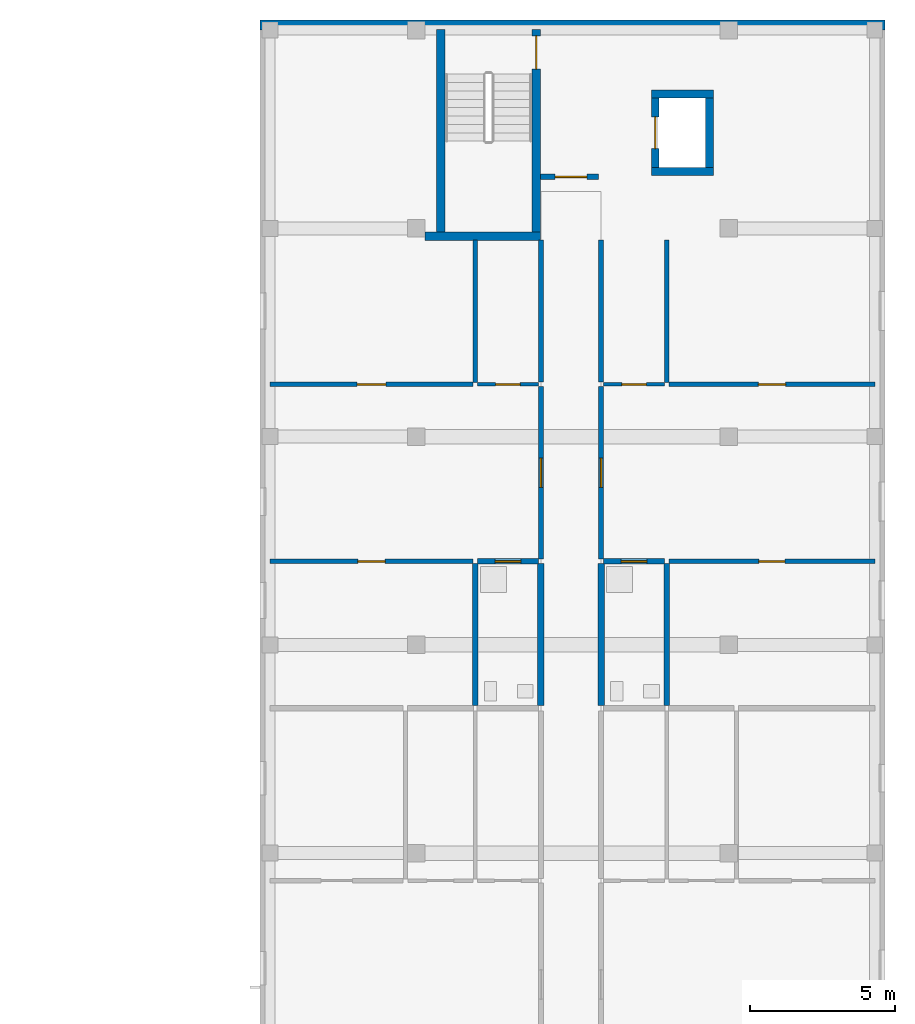
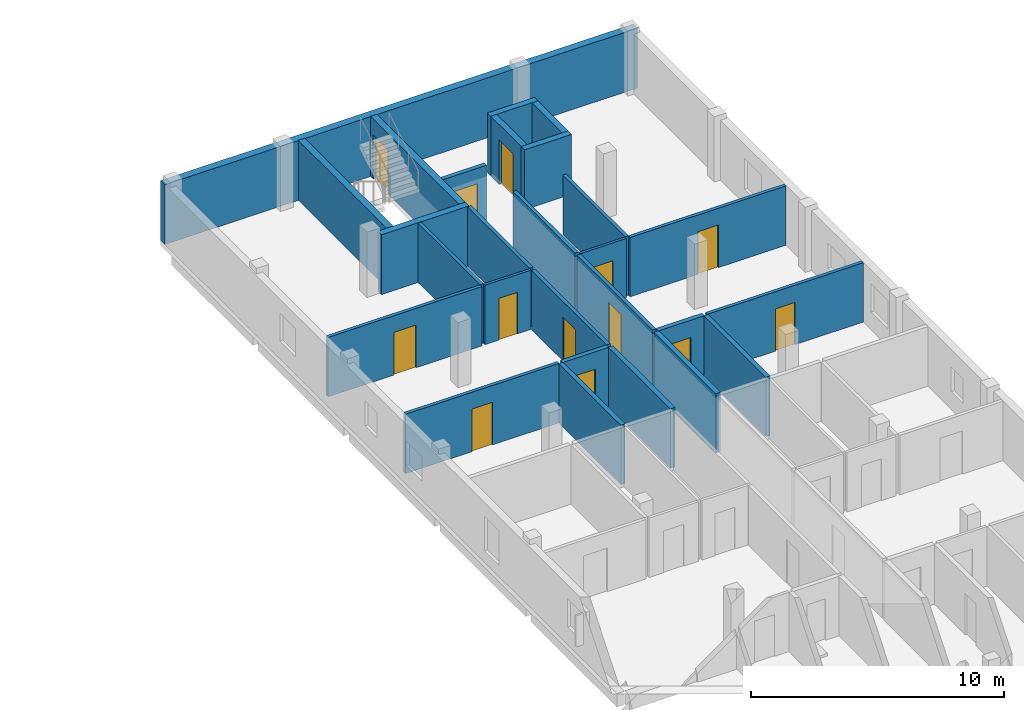
# One storey, part 21 of 34: 27 walls, 13 doors, 13 openings.
"""IFC4 building model written with IfcOpenShell, lengths in metres."""

from ifc_helpers import new_model, si_unit, derived_unit, direction, frame, frame_2d, origin, place, context, subcontext, project, spatial, rectangle, extrude, material, layer, layer_set, type_object, element, fill, save


model = new_model("IFC4")

# Units and contexts
model_context = context("Model", 3, precision=1e-05, world=origin(), true_north=direction((0.0, 1.0)))
body_context = subcontext(model_context, "Body", "Model", "MODEL_VIEW")
ifc_project = project(units=[si_unit("LENGTHUNIT", "METRE"), si_unit("AREAUNIT", "SQUARE_METRE"), si_unit("VOLUMEUNIT", "CUBIC_METRE"), si_unit("PLANEANGLEUNIT", "RADIAN"), si_unit("MASSUNIT", "GRAM", prefix="KILO"), derived_unit("THERMALTRANSMITTANCEUNIT", [(si_unit("MASSUNIT", "GRAM", prefix="KILO"), 1), (si_unit("TIMEUNIT", "SECOND"), -3), (si_unit("THERMODYNAMICTEMPERATUREUNIT", "KELVIN"), -1)])], contexts=[model_context])

# Site, building, storey
site_placement = place(None, origin())
site = spatial("IfcSite", under=ifc_project, at=site_placement, CompositionType="ELEMENT")
building_placement = place(site_placement, origin())
building = spatial("IfcBuilding", under=site, at=building_placement, Name="Ochrekiln Boulevard Commons", CompositionType="ELEMENT")
storey_placement = place(building_placement, frame((0.0, 0.0, 27.824951171875)))
storey = spatial("IfcBuildingStorey", under=building, at=storey_placement, Name="L08", CompositionType="ELEMENT", Elevation=27.824951171875)

# Wall
ifc_material_1 = material(Name="Iron-spot brown clinker brick masonry ASTM C216 Grade SW", Category="masonry")
ifc_layer_1 = layer(ifc_material_1, 0.340087890625)
ifc_layer_set_1 = layer_set([ifc_layer_1], Name="Iron-spot brown clinker brick masonry ASTM C216 Grade SW")
wall_type_1 = type_object("IfcWallType", Name="WL-EXT-IRON-340", PredefinedType="SOLIDWALL", material=ifc_layer_set_1)
wall_1_placement = place(storey_placement, frame((151.199951171875, 118.6298828125, 0.0), z_axis=(0.0, 0.0, 1.0), x_axis=(1.0, 0.0, 0.0)))
element("IfcWall", 1, at=wall_1_placement, inside=storey, type_object=wall_type_1, Name="Block B L08 N Exterior Wall", PredefinedType="SOLIDWALL", context=body_context, shape_type="SweptSolid", body=[
    extrude(rectangle(XDim=21.60009765625, YDim=0.340087890625, at=frame_2d((10.800048828125, 0.0))), origin(), (0.0, 0.0, 1.0), 2.89013671875),
])

# Wall, opening, door
ifc_material_2 = material(Name="Moisture-resistant cementitious tile backer wall")
ifc_layer_2 = layer(ifc_material_2, 0.199951171875)
ifc_layer_set_2 = layer_set([ifc_layer_2], Name="Moisture-resistant cementitious tile backer wall")
wall_type_2 = type_object("IfcWallType", Name="WL-PLM-200", PredefinedType="PLUMBINGWALL", material=ifc_layer_set_2)
wall_2_placement = place(storey_placement, frame((158.719970703125, 100.090087890625, 0.0), z_axis=(0.0, 0.0, 1.0), x_axis=(1.0, 0.0, 0.0)))
wall_2 = element("IfcWall", 2, at=wall_2_placement, inside=storey, type_object=wall_type_2, Name="L08 Interior Wall W-PW200", PredefinedType="PLUMBINGWALL", context=body_context, shape_type="SweptSolid", body=[
    extrude(rectangle(XDim=2.10693359375, YDim=0.199951171875, at=frame_2d((1.053466796875, 0.0))), origin(), (0.0, 0.0, 1.0), 2.8701171875),
])
opening_1_placement = place(wall_2_placement, frame((0.60498046875, 0.0, 0.0)))
opening_1 = element("IfcOpeningElement", 3, at=opening_1_placement, cuts=wall_2, Name="Opening D-L08-1045", PredefinedType="OPENING", context=body_context, shape_type="SweptSolid", body=[
    extrude(rectangle(XDim=0.889892578125, YDim=2.030029296875, at=frame_2d((0.44482421875, 1.01513671875))), frame((0.0, 0.10986328125, 0.0), z_axis=(0.0, -1.0, 0.0), x_axis=(1.0, 0.0, 0.0)), (0.0, 0.0, 1.0), 0.219970703125),
])
ifc_material_3 = material(Name="Solid core architectural oak door leaf")
door_type_1 = type_object("IfcDoorType", Name="DR-INT-BTH-089", OperationType="NOTDEFINED", PredefinedType="DOOR", material=ifc_material_3)
door_1_placement = place(opening_1_placement, frame((0.889892578125, 0.0, 0.0), z_axis=(0.0, 0.0, 1.0), x_axis=(-1.0, 0.0, 0.0)))
door_1 = element("IfcDoor", 4, at=door_1_placement, inside=storey, type_object=door_type_1, Name="L08 Interior Door to Apartment Bathroom", OperationType="SINGLE_SWING_LEFT", OverallHeight=2.030029296875, OverallWidth=0.889892578125, PredefinedType="DOOR", context=body_context, shape_type="SweptSolid", body=[
    extrude(rectangle(XDim=0.889892578125, YDim=2.030029296875, at=frame_2d((0.44482421875, 1.01513671875))), frame((0.0, 0.02490234375, 0.0), z_axis=(0.0, -1.0, 0.0), x_axis=(1.0, 0.0, 0.0)), (0.0, 0.0, 1.0), 0.050048828125),
])
fill(opening_1, door_1)

# Wall
wall_3_placement = place(storey_placement, frame((158.639892578125, 95.097900390625, 0.0), z_axis=(0.0, 0.0, 1.0), x_axis=(0.0, 1.0, 0.0)))
element("IfcWall", 5, at=wall_3_placement, inside=storey, type_object=wall_type_2, Name="L08 Interior Wall W-PW200", PredefinedType="PLUMBINGWALL", context=body_context, shape_type="SweptSolid", body=[
    extrude(rectangle(XDim=4.912109375, YDim=0.199951171875, at=frame_2d((2.4560546875, 0.0))), origin(), (0.0, 0.0, 1.0), 2.8701171875),
])

# Wall, opening, door
wall_4_placement = place(storey_placement, frame((163.072998046875, 100.090087890625, 0.0), z_axis=(0.0, 0.0, 1.0), x_axis=(1.0, 0.0, 0.0)))
wall_4 = element("IfcWall", 6, at=wall_4_placement, inside=storey, type_object=wall_type_2, Name="L08 Interior Wall W-PW200", PredefinedType="PLUMBINGWALL", context=body_context, shape_type="SweptSolid", body=[
    extrude(rectangle(XDim=2.10693359375, YDim=0.199951171875, at=frame_2d((1.053466796875, 0.0))), origin(), (0.0, 0.0, 1.0), 2.8701171875),
])
opening_2_placement = place(wall_4_placement, frame((0.612060546875, 0.0, 0.0)))
opening_2 = element("IfcOpeningElement", 7, at=opening_2_placement, cuts=wall_4, Name="Opening D-L08-1056", PredefinedType="OPENING", context=body_context, shape_type="SweptSolid", body=[
    extrude(rectangle(XDim=0.889892578125, YDim=2.030029296875, at=frame_2d((0.44482421875, 1.01513671875))), frame((0.0, 0.10986328125, 0.0), z_axis=(0.0, -1.0, 0.0), x_axis=(1.0, 0.0, 0.0)), (0.0, 0.0, 1.0), 0.219970703125),
])
door_2_placement = place(opening_2_placement, frame((0.889892578125, 0.0, 0.0), z_axis=(0.0, 0.0, 1.0), x_axis=(-1.0, 0.0, 0.0)))
door_2 = element("IfcDoor", 8, at=door_2_placement, inside=storey, type_object=door_type_1, Name="L08 Interior Door to Apartment Bathroom", OperationType="SINGLE_SWING_RIGHT", OverallHeight=2.030029296875, OverallWidth=0.889892578125, PredefinedType="DOOR", context=body_context, shape_type="SweptSolid", body=[
    extrude(rectangle(XDim=0.889892578125, YDim=2.030029296875, at=frame_2d((0.44482421875, 1.01513671875))), frame((0.0, 0.02490234375, 0.0), z_axis=(0.0, -1.0, 0.0), x_axis=(1.0, 0.0, 0.0)), (0.0, 0.0, 1.0), 0.050048828125),
])
fill(opening_2, door_2)

# Walls
wall_5_placement = place(storey_placement, frame((165.260009765625, 95.097900390625, 0.0), z_axis=(0.0, 0.0, 1.0), x_axis=(0.0, 1.0, 0.0)))
element("IfcWall", 9, at=wall_5_placement, inside=storey, type_object=wall_type_2, Name="L08 Interior Wall W-PW200", PredefinedType="PLUMBINGWALL", context=body_context, shape_type="SweptSolid", body=[
    extrude(rectangle(XDim=4.912109375, YDim=0.199951171875, at=frame_2d((2.4560546875, 0.0))), origin(), (0.0, 0.0, 1.0), 2.8701171875),
])
ifc_layer_3 = layer(ifc_material_2, 0.219970703125)
ifc_layer_set_3 = layer_set([ifc_layer_3], Name="Moisture-resistant cementitious tile backer wall")
wall_type_3 = type_object("IfcWallType", Name="WL-PLM-220", PredefinedType="PLUMBINGWALL", material=ifc_layer_set_3)
for number, where, z_axis, x_axis, name in (
    (10, (160.909912109375, 95.097900390625, 0.0), (0.0, 0.0, 1.0), (0.0, 1.0, 0.0), "L08 Interior Wall W-PW220"),
    (11, (162.989990234375, 95.097900390625, 0.0), (0.0, 0.0, 1.0), (0.0, 1.0, 0.0), "L08 Interior Wall W-PW220"),
):
    element("IfcWall", number, at=place(storey_placement, frame(where, z_axis=z_axis, x_axis=x_axis)), inside=storey, type_object=wall_type_3, Name=name, PredefinedType="PLUMBINGWALL", context=body_context, shape_type="SweptSolid", body=[
        extrude(rectangle(XDim=4.912109375, YDim=0.219970703125, at=frame_2d((2.4560546875, 0.0))), origin(), (0.0, 0.0, 1.0), 2.8701171875),
    ])

# Wall, opening, door
ifc_material_4 = material(Name="Fire-rated Type X gypsum board on steel studs", Category="steel")
ifc_layer_4 = layer(ifc_material_4, 0.1650390625)
ifc_layer_set_4 = layer_set([ifc_layer_4], Name="Fire-rated Type X gypsum board on steel studs")
wall_type_4 = type_object("IfcWallType", Name="WL-PT-CORR-165", PredefinedType="PARTITIONING", material=ifc_layer_set_4)
wall_6_placement = place(storey_placement, frame((160.909912109375, 100.169921875, 0.0), z_axis=(0.0, 0.0, 1.0), x_axis=(0.0, 1.0, 0.0)))
wall_6 = element("IfcWall", 12, at=wall_6_placement, inside=storey, type_object=wall_type_4, Name="L08 Interior Wall W-PC165", PredefinedType="PARTITIONING", context=body_context, shape_type="SweptSolid", body=[
    extrude(rectangle(XDim=5.9580078125, YDim=0.1650390625, at=frame_2d((2.97900390625, 0.0))), origin(), (0.0, 0.0, 1.0), 2.8701171875),
])
opening_3_placement = place(wall_6_placement, frame((2.47412109375, 0.0, 0.0)))
opening_3 = element("IfcOpeningElement", 13, at=opening_3_placement, cuts=wall_6, Name="Opening D-L08-1035", PredefinedType="OPENING", context=body_context, shape_type="SweptSolid", body=[
    extrude(rectangle(XDim=1.010009765625, YDim=2.110107421875, at=frame_2d((0.5048828125, 1.05517578125))), frame((0.0, 0.092529296875, 0.0), z_axis=(0.0, -1.0, 0.0), x_axis=(1.0, 0.0, 0.0)), (0.0, 0.0, 1.0), 0.18505859375),
])
door_type_2 = type_object("IfcDoorType", Name="DR-INT-APT-101", OperationType="NOTDEFINED", PredefinedType="DOOR", material=ifc_material_3)
door_3_placement = place(opening_3_placement, origin())
door_3 = element("IfcDoor", 14, at=door_3_placement, inside=storey, type_object=door_type_2, Name="L08 Interior Door to Two-Bedroom Apartment Living Room", OperationType="SINGLE_SWING_LEFT", OverallHeight=2.110107421875, OverallWidth=1.010009765625, PredefinedType="DOOR", context=body_context, shape_type="SweptSolid", body=[
    extrude(rectangle(XDim=1.010009765625, YDim=2.110107421875, at=frame_2d((0.5048828125, 1.05517578125))), frame((0.0, 0.02490234375, 0.0), z_axis=(0.0, -1.0, 0.0), x_axis=(1.0, 0.0, 0.0)), (0.0, 0.0, 1.0), 0.050048828125),
])
fill(opening_3, door_3)

# Wall
wall_7_placement = place(storey_placement, frame((160.909912109375, 106.2880859375, 0.0), z_axis=(0.0, 0.0, 1.0), x_axis=(0.0, 1.0, 0.0)))
element("IfcWall", 15, at=wall_7_placement, inside=storey, type_object=wall_type_4, Name="L08 Interior Wall W-PC165", PredefinedType="PARTITIONING", context=body_context, shape_type="SweptSolid", body=[
    extrude(rectangle(XDim=4.911865234375, YDim=0.1650390625, at=frame_2d((2.4560546875, 0.0))), origin(), (0.0, 0.0, 1.0), 2.8701171875),
])

# Wall, opening, door
wall_8_placement = place(storey_placement, frame((162.989990234375, 100.169921875, 0.0), z_axis=(0.0, 0.0, 1.0), x_axis=(0.0, 1.0, 0.0)))
wall_8 = element("IfcWall", 16, at=wall_8_placement, inside=storey, type_object=wall_type_4, Name="L08 Interior Wall W-PC165", PredefinedType="PARTITIONING", context=body_context, shape_type="SweptSolid", body=[
    extrude(rectangle(XDim=5.9580078125, YDim=0.1650390625, at=frame_2d((2.97900390625, 0.0))), origin(), (0.0, 0.0, 1.0), 2.8701171875),
])
opening_4_placement = place(wall_8_placement, frame((2.47412109375, 0.0, 0.0)))
opening_4 = element("IfcOpeningElement", 17, at=opening_4_placement, cuts=wall_8, Name="Opening D-L08-1037", PredefinedType="OPENING", context=body_context, shape_type="SweptSolid", body=[
    extrude(rectangle(XDim=1.010009765625, YDim=2.110107421875, at=frame_2d((0.5048828125, 1.05517578125))), frame((0.0, 0.092529296875, 0.0), z_axis=(0.0, -1.0, 0.0), x_axis=(1.0, 0.0, 0.0)), (0.0, 0.0, 1.0), 0.18505859375),
])
door_4_placement = place(opening_4_placement, frame((1.010009765625, 0.0, 0.0), z_axis=(0.0, 0.0, 1.0), x_axis=(-1.0, 0.0, 0.0)))
door_4 = element("IfcDoor", 18, at=door_4_placement, inside=storey, type_object=door_type_2, Name="L08 Interior Door to Two-Bedroom Apartment Living Room", OperationType="SINGLE_SWING_LEFT", OverallHeight=2.110107421875, OverallWidth=1.010009765625, PredefinedType="DOOR", context=body_context, shape_type="SweptSolid", body=[
    extrude(rectangle(XDim=1.010009765625, YDim=2.110107421875, at=frame_2d((0.5048828125, 1.05517578125))), frame((0.0, 0.02490234375, 0.0), z_axis=(0.0, -1.0, 0.0), x_axis=(1.0, 0.0, 0.0)), (0.0, 0.0, 1.0), 0.050048828125),
])
fill(opening_4, door_4)

# Wall
wall_9_placement = place(storey_placement, frame((162.989990234375, 106.2880859375, 0.0), z_axis=(0.0, 0.0, 1.0), x_axis=(0.0, 1.0, 0.0)))
element("IfcWall", 19, at=wall_9_placement, inside=storey, type_object=wall_type_4, Name="L08 Interior Wall W-PC165", PredefinedType="PARTITIONING", context=body_context, shape_type="SweptSolid", body=[
    extrude(rectangle(XDim=4.911865234375, YDim=0.1650390625, at=frame_2d((2.4560546875, 0.0))), origin(), (0.0, 0.0, 1.0), 2.8701171875),
])

# Wall, opening, door
ifc_layer_5 = layer(ifc_material_4, 0.18994140625)
ifc_layer_set_5 = layer_set([ifc_layer_5], Name="Fire-rated Type X gypsum board on steel studs")
wall_type_5 = type_object("IfcWallType", Name="WL-PT-LBY-190", PredefinedType="PARTITIONING", material=ifc_layer_set_5)
wall_10_placement = place(storey_placement, frame((160.89990234375, 113.3798828125, 0.0), z_axis=(0.0, 0.0, 1.0), x_axis=(1.0, 0.0, 0.0)))
wall_10 = element("IfcWall", 20, at=wall_10_placement, inside=storey, type_object=wall_type_5, Name="L08 Interior Wall W-PL190", PredefinedType="PARTITIONING", context=body_context, shape_type="SweptSolid", body=[
    extrude(rectangle(XDim=2.0, YDim=0.18994140625, at=frame_2d((1.0, 0.0))), origin(), (0.0, 0.0, 1.0), 2.8701171875),
])
opening_5_placement = place(wall_10_placement, frame((0.5, 0.0, 0.0)))
opening_5 = element("IfcOpeningElement", 21, at=opening_5_placement, cuts=wall_10, Name="Opening D-L08-1032", PredefinedType="OPENING", context=body_context, shape_type="SweptSolid", body=[
    extrude(rectangle(XDim=1.10009765625, YDim=2.1201171875, at=frame_2d((0.550048828125, 1.06005859375))), frame((0.0, 0.10498046875, 0.0), z_axis=(0.0, -1.0, 0.0), x_axis=(1.0, 0.0, 0.0)), (0.0, 0.0, 1.0), 0.2099609375),
])
ifc_material_5 = material(Name="Hollow metal fire-rated steel door assembly", Category="steel")
door_type_3 = type_object("IfcDoorType", Name="DR-LOBBY-60", OperationType="NOTDEFINED", PredefinedType="DOOR", material=ifc_material_5)
door_5_placement = place(opening_5_placement, origin())
door_5 = element("IfcDoor", 22, at=door_5_placement, inside=storey, type_object=door_type_3, Name="L08 Interior Door to Fire Service Access Elevator Lobby", OperationType="SINGLE_SWING_RIGHT", OverallHeight=2.1201171875, OverallWidth=1.10009765625, PredefinedType="DOOR", context=body_context, shape_type="SweptSolid", body=[
    extrude(rectangle(XDim=1.10009765625, YDim=2.1201171875, at=frame_2d((0.550048828125, 1.06005859375))), frame((0.0, 0.02490234375, 0.0), z_axis=(0.0, -1.0, 0.0), x_axis=(1.0, 0.0, 0.0)), (0.0, 0.0, 1.0), 0.050048828125),
])
fill(opening_5, door_5)

ifc_layer_6 = layer(ifc_material_4, 0.1201171875)
ifc_layer_set_6 = layer_set([ifc_layer_6], Name="Fire-rated Type X gypsum board on steel studs")
wall_type_6 = type_object("IfcWallType", Name="WL-PT-LGT-120", PredefinedType="PARTITIONING", material=ifc_layer_set_6)
wall_11_placement = place(storey_placement, frame((158.719970703125, 106.2080078125, 0.0), z_axis=(0.0, 0.0, 1.0), x_axis=(1.0, 0.0, 0.0)))
wall_11 = element("IfcWall", 23, at=wall_11_placement, inside=storey, type_object=wall_type_6, Name="L08 Interior Wall W-PL120", PredefinedType="PARTITIONING", context=body_context, shape_type="SweptSolid", body=[
    extrude(rectangle(XDim=2.10693359375, YDim=0.1201171875, at=frame_2d((1.053466796875, 0.0))), origin(), (0.0, 0.0, 1.0), 2.8701171875),
])
opening_6_placement = place(wall_11_placement, frame((0.625, 0.0, 0.0)))
opening_6 = element("IfcOpeningElement", 24, at=opening_6_placement, cuts=wall_11, Name="Opening D-L08-1046", PredefinedType="OPENING", context=body_context, shape_type="SweptSolid", body=[
    extrude(rectangle(XDim=0.85009765625, YDim=2.010009765625, at=frame_2d((0.425048828125, 1.0048828125))), frame((0.0, 0.070068359375, 0.0), z_axis=(0.0, -1.0, 0.0), x_axis=(1.0, 0.0, 0.0)), (0.0, 0.0, 1.0), 0.14013671875),
])
door_type_4 = type_object("IfcDoorType", Name="DR-INT-KIT-085", OperationType="NOTDEFINED", PredefinedType="DOOR", material=ifc_material_3)
door_6_placement = place(opening_6_placement, origin())
door_6 = element("IfcDoor", 25, at=door_6_placement, inside=storey, type_object=door_type_4, Name="L08 Interior Door to Apartment Kitchen", OperationType="SINGLE_SWING_RIGHT", OverallHeight=2.010009765625, OverallWidth=0.85009765625, PredefinedType="DOOR", context=body_context, shape_type="SweptSolid", body=[
    extrude(rectangle(XDim=0.85009765625, YDim=2.010009765625, at=frame_2d((0.425048828125, 1.0048828125))), frame((0.0, 0.02490234375, 0.0), z_axis=(0.0, -1.0, 0.0), x_axis=(1.0, 0.0, 0.0)), (0.0, 0.0, 1.0), 0.050048828125),
])
fill(opening_6, door_6)

wall_12_placement = place(storey_placement, frame((163.072998046875, 106.2080078125, 0.0), z_axis=(0.0, 0.0, 1.0), x_axis=(1.0, 0.0, 0.0)))
wall_12 = element("IfcWall", 26, at=wall_12_placement, inside=storey, type_object=wall_type_6, Name="L08 Interior Wall W-PL120", PredefinedType="PARTITIONING", context=body_context, shape_type="SweptSolid", body=[
    extrude(rectangle(XDim=2.10693359375, YDim=0.1201171875, at=frame_2d((1.053466796875, 0.0))), origin(), (0.0, 0.0, 1.0), 2.8701171875),
])
opening_7_placement = place(wall_12_placement, frame((0.632080078125, 0.0, 0.0)))
opening_7 = element("IfcOpeningElement", 27, at=opening_7_placement, cuts=wall_12, Name="Opening D-L08-1057", PredefinedType="OPENING", context=body_context, shape_type="SweptSolid", body=[
    extrude(rectangle(XDim=0.85009765625, YDim=2.010009765625, at=frame_2d((0.425048828125, 1.0048828125))), frame((0.0, 0.070068359375, 0.0), z_axis=(0.0, -1.0, 0.0), x_axis=(1.0, 0.0, 0.0)), (0.0, 0.0, 1.0), 0.14013671875),
])
door_7_placement = place(opening_7_placement, origin())
door_7 = element("IfcDoor", 28, at=door_7_placement, inside=storey, type_object=door_type_4, Name="L08 Interior Door to Apartment Kitchen", OperationType="SINGLE_SWING_LEFT", OverallHeight=2.010009765625, OverallWidth=0.85009765625, PredefinedType="DOOR", context=body_context, shape_type="SweptSolid", body=[
    extrude(rectangle(XDim=0.85009765625, YDim=2.010009765625, at=frame_2d((0.425048828125, 1.0048828125))), frame((0.0, 0.02490234375, 0.0), z_axis=(0.0, -1.0, 0.0), x_axis=(1.0, 0.0, 0.0)), (0.0, 0.0, 1.0), 0.050048828125),
])
fill(opening_7, door_7)

ifc_layer_7 = layer(ifc_material_4, 0.14990234375)
ifc_layer_set_7 = layer_set([ifc_layer_7], Name="Fire-rated Type X gypsum board on steel studs")
wall_type_7 = type_object("IfcWallType", Name="WL-PT-STD-150", PredefinedType="PARTITIONING", material=ifc_layer_set_7)
wall_13_placement = place(storey_placement, frame((151.5400390625, 100.090087890625, 0.0), z_axis=(0.0, 0.0, 1.0), x_axis=(1.0, 0.0, 0.0)))
wall_13 = element("IfcWall", 29, at=wall_13_placement, inside=storey, type_object=wall_type_7, Name="L08 Interior Wall W-PS150", PredefinedType="PARTITIONING", context=body_context, shape_type="SweptSolid", body=[
    extrude(rectangle(XDim=7.02001953125, YDim=0.14990234375, at=frame_2d((3.510009765625, 0.0))), origin(), (0.0, 0.0, 1.0), 2.8701171875),
])
opening_8_placement = place(wall_13_placement, frame((3.044921875, 0.0, 0.0)))
opening_8 = element("IfcOpeningElement", 30, at=opening_8_placement, cuts=wall_13, Name="Opening D-L08-1047", PredefinedType="OPENING", context=body_context, shape_type="SweptSolid", body=[
    extrude(rectangle(XDim=0.93994140625, YDim=2.06005859375, at=frame_2d((0.469970703125, 1.030029296875))), frame((0.0, 0.0849609375, 0.0), z_axis=(0.0, -1.0, 0.0), x_axis=(1.0, 0.0, 0.0)), (0.0, 0.0, 1.0), 0.169921875),
])
door_type_5 = type_object("IfcDoorType", Name="DR-INT-BED-094", OperationType="NOTDEFINED", PredefinedType="DOOR", material=ifc_material_3)
door_8_placement = place(opening_8_placement, frame((0.93994140625, 0.0, 0.0), z_axis=(0.0, 0.0, 1.0), x_axis=(-1.0, 0.0, 0.0)))
door_8 = element("IfcDoor", 31, at=door_8_placement, inside=storey, type_object=door_type_5, Name="L08 Interior Door to Primary Apartment Bedroom", OperationType="SINGLE_SWING_LEFT", OverallHeight=2.06005859375, OverallWidth=0.93994140625, PredefinedType="DOOR", context=body_context, shape_type="SweptSolid", body=[
    extrude(rectangle(XDim=0.93994140625, YDim=2.06005859375, at=frame_2d((0.469970703125, 1.030029296875))), frame((0.0, 0.02490234375, 0.0), z_axis=(0.0, -1.0, 0.0), x_axis=(1.0, 0.0, 0.0)), (0.0, 0.0, 1.0), 0.050048828125),
])
fill(opening_8, door_8)

wall_14_placement = place(storey_placement, frame((151.5400390625, 106.2080078125, 0.0), z_axis=(0.0, 0.0, 1.0), x_axis=(1.0, 0.0, 0.0)))
wall_14 = element("IfcWall", 32, at=wall_14_placement, inside=storey, type_object=wall_type_7, Name="L08 Interior Wall W-PS150", PredefinedType="PARTITIONING", context=body_context, shape_type="SweptSolid", body=[
    extrude(rectangle(XDim=7.02001953125, YDim=0.14990234375, at=frame_2d((3.510009765625, 0.0))), origin(), (0.0, 0.0, 1.0), 2.8701171875),
])
opening_9_placement = place(wall_14_placement, frame((3.014892578125, 0.0, 0.0)))
opening_9 = element("IfcOpeningElement", 33, at=opening_9_placement, cuts=wall_14, Name="Opening D-L08-1048", PredefinedType="OPENING", context=body_context, shape_type="SweptSolid", body=[
    extrude(rectangle(XDim=1.0, YDim=2.06005859375, at=frame_2d((0.5, 1.030029296875))), frame((0.0, 0.0849609375, 0.0), z_axis=(0.0, -1.0, 0.0), x_axis=(1.0, 0.0, 0.0)), (0.0, 0.0, 1.0), 0.169921875),
])
door_type_6 = type_object("IfcDoorType", Name="DR-INT-BED-100", OperationType="NOTDEFINED", PredefinedType="DOOR", material=ifc_material_3)
door_9_placement = place(opening_9_placement, origin())
door_9 = element("IfcDoor", 34, at=door_9_placement, inside=storey, type_object=door_type_6, Name="L08 Interior Door to Secondary Apartment Bedroom", OperationType="SINGLE_SWING_RIGHT", OverallHeight=2.06005859375, OverallWidth=1.0, PredefinedType="DOOR", context=body_context, shape_type="SweptSolid", body=[
    extrude(rectangle(XDim=1.0, YDim=2.06005859375, at=frame_2d((0.5, 1.030029296875))), frame((0.0, 0.02490234375, 0.0), z_axis=(0.0, -1.0, 0.0), x_axis=(1.0, 0.0, 0.0)), (0.0, 0.0, 1.0), 0.050048828125),
])
fill(opening_9, door_9)

# Wall
wall_15_placement = place(storey_placement, frame((158.639892578125, 106.26806640625, 0.0), z_axis=(0.0, 0.0, 1.0), x_axis=(0.0, 1.0, 0.0)))
element("IfcWall", 35, at=wall_15_placement, inside=storey, type_object=wall_type_7, Name="L08 Interior Wall W-PS150", PredefinedType="PARTITIONING", context=body_context, shape_type="SweptSolid", body=[
    extrude(rectangle(XDim=4.931884765625, YDim=0.14990234375, at=frame_2d((2.4658203125, 0.0))), origin(), (0.0, 0.0, 1.0), 2.8701171875),
])

# Wall, opening, door
wall_16_placement = place(storey_placement, frame((165.340087890625, 100.090087890625, 0.0), z_axis=(0.0, 0.0, 1.0), x_axis=(1.0, 0.0, 0.0)))
wall_16 = element("IfcWall", 36, at=wall_16_placement, inside=storey, type_object=wall_type_7, Name="L08 Interior Wall W-PS150", PredefinedType="PARTITIONING", context=body_context, shape_type="SweptSolid", body=[
    extrude(rectangle(XDim=7.119873046875, YDim=0.14990234375, at=frame_2d((3.56005859375, 0.0))), origin(), (0.0, 0.0, 1.0), 2.8701171875),
])
opening_10_placement = place(wall_16_placement, frame((3.10498046875, 0.0, 0.0)))
opening_10 = element("IfcOpeningElement", 37, at=opening_10_placement, cuts=wall_16, Name="Opening D-L08-1058", PredefinedType="OPENING", context=body_context, shape_type="SweptSolid", body=[
    extrude(rectangle(XDim=0.89990234375, YDim=2.0400390625, at=frame_2d((0.449951171875, 1.02001953125))), frame((0.0, 0.0849609375, 0.0), z_axis=(0.0, -1.0, 0.0), x_axis=(1.0, 0.0, 0.0)), (0.0, 0.0, 1.0), 0.169921875),
])
door_type_7 = type_object("IfcDoorType", Name="DR-INT-BED-090", OperationType="NOTDEFINED", PredefinedType="DOOR", material=ifc_material_3)
door_10_placement = place(opening_10_placement, frame((0.89990234375, 0.0, 0.0), z_axis=(0.0, 0.0, 1.0), x_axis=(-1.0, 0.0, 0.0)))
door_10 = element("IfcDoor", 38, at=door_10_placement, inside=storey, type_object=door_type_7, Name="L08 Interior Door to Primary Apartment Bedroom", OperationType="SINGLE_SWING_RIGHT", OverallHeight=2.0400390625, OverallWidth=0.89990234375, PredefinedType="DOOR", context=body_context, shape_type="SweptSolid", body=[
    extrude(rectangle(XDim=0.89990234375, YDim=2.0400390625, at=frame_2d((0.449951171875, 1.02001953125))), frame((0.0, 0.02490234375, 0.0), z_axis=(0.0, -1.0, 0.0), x_axis=(1.0, 0.0, 0.0)), (0.0, 0.0, 1.0), 0.050048828125),
])
fill(opening_10, door_10)

wall_17_placement = place(storey_placement, frame((165.340087890625, 106.2080078125, 0.0), z_axis=(0.0, 0.0, 1.0), x_axis=(1.0, 0.0, 0.0)))
wall_17 = element("IfcWall", 39, at=wall_17_placement, inside=storey, type_object=wall_type_7, Name="L08 Interior Wall W-PS150", PredefinedType="PARTITIONING", context=body_context, shape_type="SweptSolid", body=[
    extrude(rectangle(XDim=7.119873046875, YDim=0.14990234375, at=frame_2d((3.56005859375, 0.0))), origin(), (0.0, 0.0, 1.0), 2.8701171875),
])
opening_11_placement = place(wall_17_placement, frame((3.0849609375, 0.0, 0.0)))
opening_11 = element("IfcOpeningElement", 40, at=opening_11_placement, cuts=wall_17, Name="Opening D-L08-1059", PredefinedType="OPENING", context=body_context, shape_type="SweptSolid", body=[
    extrude(rectangle(XDim=0.93994140625, YDim=2.06005859375, at=frame_2d((0.469970703125, 1.030029296875))), frame((0.0, 0.0849609375, 0.0), z_axis=(0.0, -1.0, 0.0), x_axis=(1.0, 0.0, 0.0)), (0.0, 0.0, 1.0), 0.169921875),
])
door_11_placement = place(opening_11_placement, origin())
door_11 = element("IfcDoor", 41, at=door_11_placement, inside=storey, type_object=door_type_5, Name="L08 Interior Door to Secondary Apartment Bedroom", OperationType="SINGLE_SWING_LEFT", OverallHeight=2.06005859375, OverallWidth=0.93994140625, PredefinedType="DOOR", context=body_context, shape_type="SweptSolid", body=[
    extrude(rectangle(XDim=0.93994140625, YDim=2.06005859375, at=frame_2d((0.469970703125, 1.030029296875))), frame((0.0, 0.02490234375, 0.0), z_axis=(0.0, -1.0, 0.0), x_axis=(1.0, 0.0, 0.0)), (0.0, 0.0, 1.0), 0.050048828125),
])
fill(opening_11, door_11)

# Walls
wall_18_placement = place(storey_placement, frame((165.260009765625, 106.26806640625, 0.0), z_axis=(0.0, 0.0, 1.0), x_axis=(0.0, 1.0, 0.0)))
element("IfcWall", 42, at=wall_18_placement, inside=storey, type_object=wall_type_7, Name="L08 Interior Wall W-PS150", PredefinedType="PARTITIONING", context=body_context, shape_type="SweptSolid", body=[
    extrude(rectangle(XDim=4.931884765625, YDim=0.14990234375, at=frame_2d((2.4658203125, 0.0))), origin(), (0.0, 0.0, 1.0), 2.8701171875),
])
ifc_material_6 = material(Name="Concrete C40/50", Category="concrete")
ifc_layer_8 = layer(ifc_material_6, 0.27490234375)
ifc_layer_set_8 = layer_set([ifc_layer_8], Name="Concrete C40/50")
wall_type_8 = type_object("IfcWallType", Name="WL-SH-275", PredefinedType="SHEAR", material=ifc_layer_set_8)
for number, where, z_axis, x_axis, name in (
    (43, (164.72509765625, 113.5625, 0.0), (0.0, 0.0, 1.0), (1.0, 0.0, 0.0), "Elevator FF-B2 L08 Hoistway Shear Wall"),
    (44, (164.72509765625, 116.237548828125, 0.0), (0.0, 0.0, 1.0), (1.0, 0.0, 0.0), "Elevator FF-B2 L08 Hoistway Shear Wall"),
):
    element("IfcWall", number, at=place(storey_placement, frame(where, z_axis=z_axis, x_axis=x_axis)), inside=storey, type_object=wall_type_8, Name=name, PredefinedType="SHEAR", context=body_context, shape_type="SweptSolid", body=[
        extrude(rectangle(XDim=2.14990234375, YDim=0.27490234375, at=frame_2d((1.074951171875, 0.0))), origin(), (0.0, 0.0, 1.0), 2.89013671875),
    ])

# Wall, opening, door
wall_19_placement = place(storey_placement, frame((164.862548828125, 113.699951171875, 0.0), z_axis=(0.0, 0.0, 1.0), x_axis=(0.0, 1.0, 0.0)))
wall_19 = element("IfcWall", 45, at=wall_19_placement, inside=storey, type_object=wall_type_8, Name="Elevator FF-B2 L08 Hoistway Shear Wall", PredefinedType="SHEAR", context=body_context, shape_type="SweptSolid", body=[
    extrude(rectangle(XDim=2.400146484375, YDim=0.27490234375, at=frame_2d((1.2001953125, 0.0))), origin(), (0.0, 0.0, 1.0), 2.89013671875),
])
opening_12_placement = place(wall_19_placement, frame((0.64990234375, 0.0, 0.0)))
opening_12 = element("IfcOpeningElement", 46, at=opening_12_placement, cuts=wall_19, Name="Opening LD-FF-B2-L08", PredefinedType="OPENING", context=body_context, shape_type="SweptSolid", body=[
    extrude(rectangle(XDim=1.10009765625, YDim=2.14990234375, at=frame_2d((0.550048828125, 1.074951171875))), frame((0.0, 0.1474609375, 0.0), z_axis=(0.0, -1.0, 0.0), x_axis=(1.0, 0.0, 0.0)), (0.0, 0.0, 1.0), 0.294921875),
])
ifc_material_7 = material(Name="Brushed stainless steel 316 elevator cab and doors", Category="steel")
door_type_8 = type_object("IfcDoorType", Name="DR-LIFT-LD90", OperationType="SLIDING_TO_LEFT", PredefinedType="DOOR", material=ifc_material_7)
door_12_placement = place(opening_12_placement, origin())
door_12 = element("IfcDoor", 47, at=door_12_placement, inside=storey, type_object=door_type_8, Name="Elevator FF-B2 L08 Sliding Landing Door LD-FF-B2-L08", OperationType="SLIDING_TO_LEFT", OverallHeight=2.14990234375, OverallWidth=1.10009765625, PredefinedType="DOOR", context=body_context, shape_type="SweptSolid", body=[
    extrude(rectangle(XDim=1.10009765625, YDim=2.14990234375, at=frame_2d((0.550048828125, 1.074951171875))), frame((0.0, 0.02490234375, 0.0), z_axis=(0.0, -1.0, 0.0), x_axis=(1.0, 0.0, 0.0)), (0.0, 0.0, 1.0), 0.050048828125),
])
fill(opening_12, door_12)

# Walls
wall_20_placement = place(storey_placement, frame((166.737548828125, 113.699951171875, 0.0), z_axis=(0.0, 0.0, 1.0), x_axis=(0.0, 1.0, 0.0)))
element("IfcWall", 48, at=wall_20_placement, inside=storey, type_object=wall_type_8, Name="Elevator FF-B2 L08 Hoistway Shear Wall", PredefinedType="SHEAR", context=body_context, shape_type="SweptSolid", body=[
    extrude(rectangle(XDim=2.400146484375, YDim=0.27490234375, at=frame_2d((1.2001953125, 0.0))), origin(), (0.0, 0.0, 1.0), 2.89013671875),
])
ifc_layer_9 = layer(ifc_material_6, 0.300048828125)
ifc_layer_set_9 = layer_set([ifc_layer_9], Name="Concrete C40/50")
wall_type_9 = type_object("IfcWallType", Name="WL-SH-300", PredefinedType="SHEAR", material=ifc_layer_set_9)
wall_21_placement = place(storey_placement, frame((156.89990234375, 111.330078125, 0.0), z_axis=(0.0, 0.0, 1.0), x_axis=(1.0, 0.0, 0.0)))
element("IfcWall", 49, at=wall_21_placement, inside=storey, type_object=wall_type_9, Name="Stair ST-B2 L08 Core Shear Wall S", PredefinedType="SHEAR", context=body_context, shape_type="SweptSolid", body=[
    extrude(rectangle(XDim=4.0, YDim=0.300048828125, at=frame_2d((2.0, 0.0))), origin(), (0.0, 0.0, 1.0), 2.89013671875),
])
wall_22_placement = place(storey_placement, frame((157.449951171875, 111.47998046875, 0.0), z_axis=(0.0, 0.0, 1.0), x_axis=(0.0, 1.0, 0.0)))
element("IfcWall", 50, at=wall_22_placement, inside=storey, type_object=wall_type_9, Name="Stair ST-B2 L08 Core Shear Wall W", PredefinedType="SHEAR", context=body_context, shape_type="SweptSolid", body=[
    extrude(rectangle(XDim=7.0, YDim=0.300048828125, at=frame_2d((3.5, 0.0))), origin(), (0.0, 0.0, 1.0), 2.89013671875),
])

# Wall, opening, door
wall_23_placement = place(storey_placement, frame((160.75, 111.47998046875, 0.0), z_axis=(0.0, 0.0, 1.0), x_axis=(0.0, 1.0, 0.0)))
wall_23 = element("IfcWall", 51, at=wall_23_placement, inside=storey, type_object=wall_type_9, Name="Stair ST-B2 L08 Core Shear Wall E", PredefinedType="SHEAR", context=body_context, shape_type="SweptSolid", body=[
    extrude(rectangle(XDim=7.0, YDim=0.300048828125, at=frame_2d((3.5, 0.0))), origin(), (0.0, 0.0, 1.0), 2.89013671875),
])
opening_13_placement = place(wall_23_placement, frame((5.625, 0.0, 0.0)))
opening_13 = element("IfcOpeningElement", 52, at=opening_13_placement, cuts=wall_23, Name="Opening D-L08-ST-B2", PredefinedType="OPENING", context=body_context, shape_type="SweptSolid", body=[
    extrude(rectangle(XDim=1.14990234375, YDim=2.1201171875, at=frame_2d((0.574951171875, 1.06005859375))), frame((0.0, 0.159912109375, 0.0), z_axis=(0.0, -1.0, 0.0), x_axis=(1.0, 0.0, 0.0)), (0.0, 0.0, 1.0), 0.320068359375),
])
door_type_9 = type_object("IfcDoorType", Name="DR-STAIR-90", OperationType="NOTDEFINED", PredefinedType="DOOR", material=ifc_material_5)
door_13_placement = place(opening_13_placement, origin())
door_13 = element("IfcDoor", 53, at=door_13_placement, inside=storey, type_object=door_type_9, Name="Enclosed Exit Stair ST-B2 L08 Rated Door", OperationType="SINGLE_SWING_RIGHT", OverallHeight=2.1201171875, OverallWidth=1.14990234375, PredefinedType="DOOR", context=body_context, shape_type="SweptSolid", body=[
    extrude(rectangle(XDim=1.14990234375, YDim=2.1201171875, at=frame_2d((0.574951171875, 1.06005859375))), frame((0.0, 0.02490234375, 0.0), z_axis=(0.0, -1.0, 0.0), x_axis=(1.0, 0.0, 0.0)), (0.0, 0.0, 1.0), 0.050048828125),
])
fill(opening_13, door_13)

save(model, "model.ifc")
